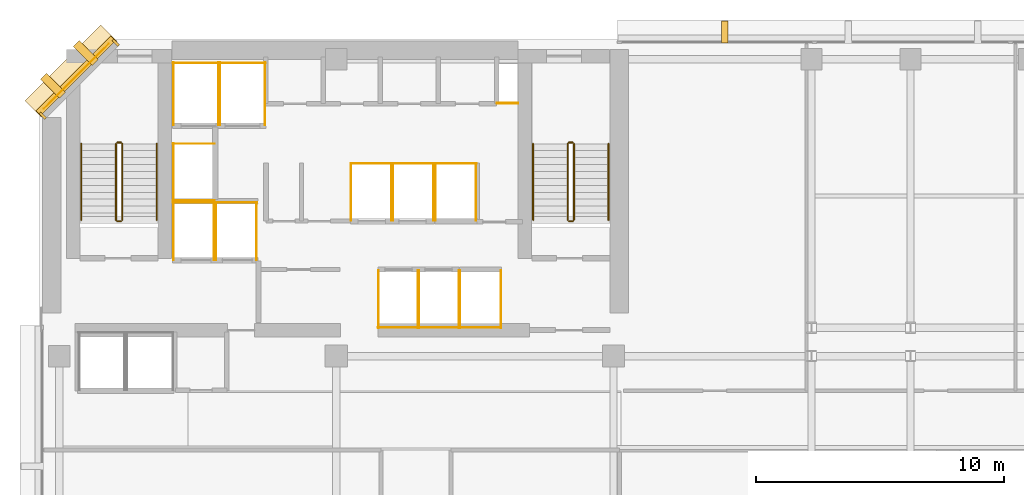
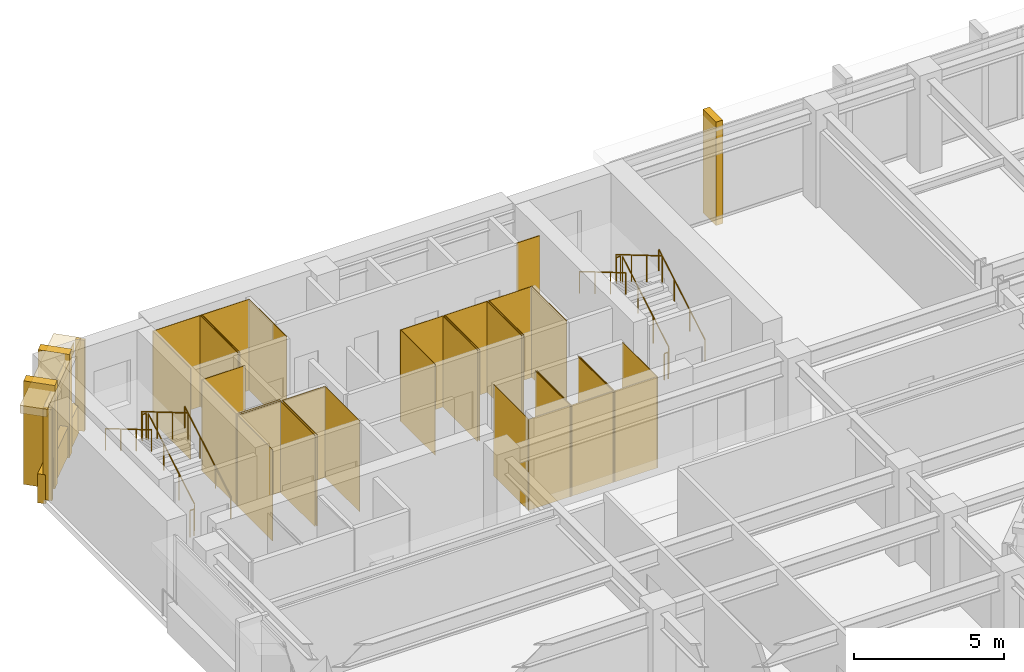
# One storey, part 10 of 11: 42 coverings, 12 railings.
"""IFC4 building model written with IfcOpenShell, lengths in metres."""

from ifc_helpers import new_model, si_unit, direction, frame, origin, origin_2d, place, context, subcontext, project, spatial, polyline, rectangle, circle, outline, extrude, material, layer, layer_set, type_object, element, save


model = new_model("IFC4")

# Units and contexts
model_context = context("Model", 3, precision=1e-05, world=origin(), true_north=direction((0.0, 1.0)))
body_context = subcontext(model_context, "Body", "Model", "MODEL_VIEW")
ifc_project = project(units=[si_unit("LENGTHUNIT", "METRE"), si_unit("AREAUNIT", "SQUARE_METRE"), si_unit("VOLUMEUNIT", "CUBIC_METRE"), si_unit("PLANEANGLEUNIT", "RADIAN"), si_unit("MASSUNIT", "GRAM", prefix="KILO")], contexts=[model_context])

# Site, building, storey
site_placement = place(None, origin())
site = spatial("IfcSite", under=ifc_project, at=site_placement, CompositionType="ELEMENT")
building_placement = place(site_placement, origin())
building = spatial("IfcBuilding", under=site, at=building_placement, Name="Kefirva Bronze Tower", CompositionType="ELEMENT")
storey_placement = place(building_placement, frame((0.0, 0.0, 166.64990234375)))
storey = spatial("IfcBuildingStorey", under=building, at=storey_placement, Name="L40", CompositionType="ELEMENT", Elevation=166.64990234375)

# Coverings
ifc_material_1 = material(Name="Bronze anodised aluminium", Category="aluminium")
ifc_layer_1 = layer(ifc_material_1, 0.02001953125, Name="Bronze anodised aluminium")
ifc_layer_set_1 = layer_set([ifc_layer_1], Name="Bronze anodised aluminium")
covering_type_1 = type_object("IfcCoveringType", Name="Anodised Bronze Spandrel Cladding 20mm", PredefinedType="CLADDING", material=ifc_layer_set_1)
covering_1_placement = place(storey_placement, frame((1.492919921875, 44.507080078125, 3.2900390625), z_axis=(0.0, 0.0, 1.0), x_axis=(-0.707106781187, -0.707106781187, 0.0)))
element("IfcCovering", 1, at=covering_1_placement, inside=storey, type_object=covering_type_1, Name="L40 Bronze Spandrel Cladding 5", PredefinedType="CLADDING", context=body_context, shape_type="SweptSolid", body=[
    extrude(rectangle(XDim=3.719482421875, YDim=0.02001953125, at=origin_2d()), origin(), (0.0, 0.0, 1.0), 0.39990234375),
])
for number, where, z_axis, x_axis, name in (
    (2, (3.08837890625, 45.862060546875, 0.0), (0.0, 0.0, 1.0), (-0.707106781187, -0.707106781187, 0.0), "L40 Facade Joint Closure Panel 5S"),
    (3, (0.137939453125, 42.91162109375, 0.0), (0.0, 0.0, 1.0), (-0.707106781187, -0.707106781187, 0.0), "L40 Facade Joint Closure Panel 5E"),
):
    element("IfcCovering", number, at=place(storey_placement, frame(where, z_axis=z_axis, x_axis=x_axis)), inside=storey, type_object=covering_type_1, Name=name, PredefinedType="CLADDING", context=body_context, shape_type="SweptSolid", body=[
        extrude(rectangle(XDim=0.10009765625, YDim=0.320068359375, at=origin_2d()), origin(), (0.0, 0.0, 1.0), 3.7099609375),
    ])
covering_2_placement = place(storey_placement, frame((1.4716796875, 44.5283203125, -0.15966796875), z_axis=(0.0, 0.0, 1.0), x_axis=(-0.707106781187, -0.707106781187, 0.0)))
element("IfcCovering", 4, at=covering_2_placement, inside=storey, type_object=covering_type_1, Name="L40 Streamline Horizontal Spandrel Band 9", PredefinedType="CLADDING", context=body_context, shape_type="SweptSolid", body=[
    extrude(rectangle(XDim=4.28271484375, YDim=0.280029296875, at=origin_2d()), origin(), (0.0, 0.0, 1.0), 1.179931640625),
])
covering_3_placement = place(storey_placement, origin())
element("IfcCovering", 5, at=covering_3_placement, inside=storey, type_object=covering_type_1, Name="L40 Lift FF1 Hoistway Liner N", PredefinedType="CLADDING", context=body_context, shape_type="SweptSolid", body=[
    extrude(outline(polyline([(5.39990234375, 39.389892578125), (7.080078125, 39.389892578125), (7.080078125, 39.409912109375), (5.39990234375, 39.409912109375), (5.39990234375, 39.389892578125)])), origin(), (0.0, 0.0, 1.0), 3.710205078125),
])
covering_4_placement = place(storey_placement, origin())
element("IfcCovering", 6, at=covering_4_placement, inside=storey, type_object=covering_type_1, Name="L40 Lift FF1 Hoistway Liner W", PredefinedType="CLADDING", context=body_context, shape_type="SweptSolid", body=[
    extrude(outline(polyline([(5.409912109375, 37.080078125), (5.429931640625, 37.080078125), (5.429931640625, 39.419921875), (5.409912109375, 39.419921875), (5.409912109375, 37.080078125)])), origin(), (0.0, 0.0, 1.0), 3.710205078125),
])
covering_5_placement = place(storey_placement, origin())
element("IfcCovering", 7, at=covering_5_placement, inside=storey, type_object=covering_type_1, Name="L40 Lift FF1 Hoistway Liner E", PredefinedType="CLADDING", context=body_context, shape_type="SweptSolid", body=[
    extrude(outline(polyline([(7.050048828125, 37.080078125), (7.070068359375, 37.080078125), (7.070068359375, 39.419921875), (7.050048828125, 39.419921875), (7.050048828125, 37.080078125)])), origin(), (0.0, 0.0, 1.0), 3.710205078125),
])
covering_6_placement = place(storey_placement, origin())
element("IfcCovering", 8, at=covering_6_placement, inside=storey, type_object=covering_type_1, Name="L40 Lift FF2 Hoistway Liner N", PredefinedType="CLADDING", context=body_context, shape_type="SweptSolid", body=[
    extrude(outline(polyline([(7.1201171875, 39.389892578125), (8.800048828125, 39.389892578125), (8.800048828125, 39.409912109375), (7.1201171875, 39.409912109375), (7.1201171875, 39.389892578125)])), origin(), (0.0, 0.0, 1.0), 3.710205078125),
])
covering_7_placement = place(storey_placement, origin())
element("IfcCovering", 9, at=covering_7_placement, inside=storey, type_object=covering_type_1, Name="L40 Lift FF2 Hoistway Liner W", PredefinedType="CLADDING", context=body_context, shape_type="SweptSolid", body=[
    extrude(outline(polyline([(7.1298828125, 37.080078125), (7.14990234375, 37.080078125), (7.14990234375, 39.419921875), (7.1298828125, 39.419921875), (7.1298828125, 37.080078125)])), origin(), (0.0, 0.0, 1.0), 3.710205078125),
])
covering_8_placement = place(storey_placement, origin())
element("IfcCovering", 10, at=covering_8_placement, inside=storey, type_object=covering_type_1, Name="L40 Lift FF2 Hoistway Liner E", PredefinedType="CLADDING", context=body_context, shape_type="SweptSolid", body=[
    extrude(outline(polyline([(8.77001953125, 37.080078125), (8.7900390625, 37.080078125), (8.7900390625, 39.419921875), (8.77001953125, 39.419921875), (8.77001953125, 37.080078125)])), origin(), (0.0, 0.0, 1.0), 3.710205078125),
])
covering_9_placement = place(storey_placement, origin())
element("IfcCovering", 11, at=covering_9_placement, inside=storey, type_object=covering_type_1, Name="L40 Lift SV1 Hoistway Liner N", PredefinedType="CLADDING", context=body_context, shape_type="SweptSolid", body=[
    extrude(outline(polyline([(5.39990234375, 45.0400390625), (7.260009765625, 45.0400390625), (7.260009765625, 45.06005859375), (5.39990234375, 45.06005859375), (5.39990234375, 45.0400390625)])), origin(), (0.0, 0.0, 1.0), 3.710205078125),
])
covering_10_placement = place(storey_placement, origin())
element("IfcCovering", 12, at=covering_10_placement, inside=storey, type_object=covering_type_1, Name="L40 Lift SV1 Hoistway Liner W", PredefinedType="CLADDING", context=body_context, shape_type="SweptSolid", body=[
    extrude(outline(polyline([(5.409912109375, 42.530029296875), (5.429931640625, 42.530029296875), (5.429931640625, 45.070068359375), (5.409912109375, 45.070068359375), (5.409912109375, 42.530029296875)])), origin(), (0.0, 0.0, 1.0), 3.710205078125),
])
covering_11_placement = place(storey_placement, origin())
element("IfcCovering", 13, at=covering_11_placement, inside=storey, type_object=covering_type_1, Name="L40 Lift SV1 Hoistway Liner E", PredefinedType="CLADDING", context=body_context, shape_type="SweptSolid", body=[
    extrude(outline(polyline([(7.22998046875, 42.530029296875), (7.25, 42.530029296875), (7.25, 45.070068359375), (7.22998046875, 45.070068359375), (7.22998046875, 42.530029296875)])), origin(), (0.0, 0.0, 1.0), 3.710205078125),
])
covering_12_placement = place(storey_placement, origin())
element("IfcCovering", 14, at=covering_12_placement, inside=storey, type_object=covering_type_1, Name="L40 Lift SV2 Hoistway Liner N", PredefinedType="CLADDING", context=body_context, shape_type="SweptSolid", body=[
    extrude(outline(polyline([(7.280029296875, 45.0400390625), (9.139892578125, 45.0400390625), (9.139892578125, 45.06005859375), (7.280029296875, 45.06005859375), (7.280029296875, 45.0400390625)])), origin(), (0.0, 0.0, 1.0), 3.710205078125),
])
covering_13_placement = place(storey_placement, origin())
element("IfcCovering", 15, at=covering_13_placement, inside=storey, type_object=covering_type_1, Name="L40 Lift SV2 Hoistway Liner W", PredefinedType="CLADDING", context=body_context, shape_type="SweptSolid", body=[
    extrude(outline(polyline([(7.2900390625, 42.530029296875), (7.31005859375, 42.530029296875), (7.31005859375, 45.070068359375), (7.2900390625, 45.070068359375), (7.2900390625, 42.530029296875)])), origin(), (0.0, 0.0, 1.0), 3.710205078125),
])
covering_14_placement = place(storey_placement, origin())
element("IfcCovering", 16, at=covering_14_placement, inside=storey, type_object=covering_type_1, Name="L40 Lift SV2 Hoistway Liner E", PredefinedType="CLADDING", context=body_context, shape_type="SweptSolid", body=[
    extrude(outline(polyline([(9.110107421875, 42.530029296875), (9.1298828125, 42.530029296875), (9.1298828125, 45.070068359375), (9.110107421875, 45.070068359375), (9.110107421875, 42.530029296875)])), origin(), (0.0, 0.0, 1.0), 3.710205078125),
])
covering_15_placement = place(storey_placement, origin())
element("IfcCovering", 17, at=covering_15_placement, inside=storey, type_object=covering_type_1, Name="L40 Lift MP1 Hoistway Liner S", PredefinedType="CLADDING", context=body_context, shape_type="SweptSolid", body=[
    extrude(outline(polyline([(13.679931640625, 34.340087890625), (15.320068359375, 34.340087890625), (15.320068359375, 34.360107421875), (13.679931640625, 34.360107421875), (13.679931640625, 34.340087890625)])), origin(), (0.0, 0.0, 1.0), 3.710205078125),
])
covering_16_placement = place(storey_placement, origin())
element("IfcCovering", 18, at=covering_16_placement, inside=storey, type_object=covering_type_1, Name="L40 Lift MP1 Hoistway Liner W", PredefinedType="CLADDING", context=body_context, shape_type="SweptSolid", body=[
    extrude(outline(polyline([(13.68994140625, 34.330078125), (13.7099609375, 34.330078125), (13.7099609375, 36.669921875), (13.68994140625, 36.669921875), (13.68994140625, 34.330078125)])), origin(), (0.0, 0.0, 1.0), 3.710205078125),
])
covering_17_placement = place(storey_placement, origin())
element("IfcCovering", 19, at=covering_17_placement, inside=storey, type_object=covering_type_1, Name="L40 Lift MP1 Hoistway Liner E", PredefinedType="CLADDING", context=body_context, shape_type="SweptSolid", body=[
    extrude(outline(polyline([(15.2900390625, 34.330078125), (15.31005859375, 34.330078125), (15.31005859375, 36.669921875), (15.2900390625, 36.669921875), (15.2900390625, 34.330078125)])), origin(), (0.0, 0.0, 1.0), 3.710205078125),
])
covering_18_placement = place(storey_placement, origin())
element("IfcCovering", 20, at=covering_18_placement, inside=storey, type_object=covering_type_1, Name="L40 Lift MP2 Hoistway Liner S", PredefinedType="CLADDING", context=body_context, shape_type="SweptSolid", body=[
    extrude(outline(polyline([(15.330078125, 34.340087890625), (16.969970703125, 34.340087890625), (16.969970703125, 34.360107421875), (15.330078125, 34.360107421875), (15.330078125, 34.340087890625)])), origin(), (0.0, 0.0, 1.0), 3.710205078125),
])
covering_19_placement = place(storey_placement, origin())
element("IfcCovering", 21, at=covering_19_placement, inside=storey, type_object=covering_type_1, Name="L40 Lift MP2 Hoistway Liner W", PredefinedType="CLADDING", context=body_context, shape_type="SweptSolid", body=[
    extrude(outline(polyline([(15.340087890625, 34.330078125), (15.360107421875, 34.330078125), (15.360107421875, 36.669921875), (15.340087890625, 36.669921875), (15.340087890625, 34.330078125)])), origin(), (0.0, 0.0, 1.0), 3.710205078125),
])
covering_20_placement = place(storey_placement, origin())
element("IfcCovering", 22, at=covering_20_placement, inside=storey, type_object=covering_type_1, Name="L40 Lift MP2 Hoistway Liner E", PredefinedType="CLADDING", context=body_context, shape_type="SweptSolid", body=[
    extrude(outline(polyline([(16.93994140625, 34.330078125), (16.9599609375, 34.330078125), (16.9599609375, 36.669921875), (16.93994140625, 36.669921875), (16.93994140625, 34.330078125)])), origin(), (0.0, 0.0, 1.0), 3.710205078125),
])
covering_21_placement = place(storey_placement, origin())
element("IfcCovering", 23, at=covering_21_placement, inside=storey, type_object=covering_type_1, Name="L40 Lift MP3 Hoistway Liner N", PredefinedType="CLADDING", context=body_context, shape_type="SweptSolid", body=[
    extrude(outline(polyline([(12.580078125, 40.969970703125), (14.25, 40.969970703125), (14.25, 40.989990234375), (12.580078125, 40.989990234375), (12.580078125, 40.969970703125)])), origin(), (0.0, 0.0, 1.0), 3.710205078125),
])
covering_22_placement = place(storey_placement, origin())
element("IfcCovering", 24, at=covering_22_placement, inside=storey, type_object=covering_type_1, Name="L40 Lift MP3 Hoistway Liner W", PredefinedType="CLADDING", context=body_context, shape_type="SweptSolid", body=[
    extrude(outline(polyline([(12.590087890625, 38.659912109375), (12.610107421875, 38.659912109375), (12.610107421875, 41.0), (12.590087890625, 41.0), (12.590087890625, 38.659912109375)])), origin(), (0.0, 0.0, 1.0), 3.710205078125),
])
covering_23_placement = place(storey_placement, origin())
element("IfcCovering", 25, at=covering_23_placement, inside=storey, type_object=covering_type_1, Name="L40 Lift MP3 Hoistway Liner E", PredefinedType="CLADDING", context=body_context, shape_type="SweptSolid", body=[
    extrude(outline(polyline([(14.219970703125, 38.659912109375), (14.239990234375, 38.659912109375), (14.239990234375, 41.0), (14.219970703125, 41.0), (14.219970703125, 38.659912109375)])), origin(), (0.0, 0.0, 1.0), 3.710205078125),
])
covering_24_placement = place(storey_placement, origin())
element("IfcCovering", 26, at=covering_24_placement, inside=storey, type_object=covering_type_1, Name="L40 Lift MP4 Hoistway Liner N", PredefinedType="CLADDING", context=body_context, shape_type="SweptSolid", body=[
    extrude(outline(polyline([(14.280029296875, 40.969970703125), (15.949951171875, 40.969970703125), (15.949951171875, 40.989990234375), (14.280029296875, 40.989990234375), (14.280029296875, 40.969970703125)])), origin(), (0.0, 0.0, 1.0), 3.710205078125),
])
covering_25_placement = place(storey_placement, origin())
element("IfcCovering", 27, at=covering_25_placement, inside=storey, type_object=covering_type_1, Name="L40 Lift MP4 Hoistway Liner W", PredefinedType="CLADDING", context=body_context, shape_type="SweptSolid", body=[
    extrude(outline(polyline([(14.2900390625, 38.659912109375), (14.31005859375, 38.659912109375), (14.31005859375, 41.0), (14.2900390625, 41.0), (14.2900390625, 38.659912109375)])), origin(), (0.0, 0.0, 1.0), 3.710205078125),
])
covering_26_placement = place(storey_placement, origin())
element("IfcCovering", 28, at=covering_26_placement, inside=storey, type_object=covering_type_1, Name="L40 Lift MP4 Hoistway Liner E", PredefinedType="CLADDING", context=body_context, shape_type="SweptSolid", body=[
    extrude(outline(polyline([(15.919921875, 38.659912109375), (15.93994140625, 38.659912109375), (15.93994140625, 41.0), (15.919921875, 41.0), (15.919921875, 38.659912109375)])), origin(), (0.0, 0.0, 1.0), 3.710205078125),
])
covering_27_placement = place(storey_placement, origin())
element("IfcCovering", 29, at=covering_27_placement, inside=storey, type_object=covering_type_1, Name="L40 Lift HP1 Hoistway Liner S", PredefinedType="CLADDING", context=body_context, shape_type="SweptSolid", body=[
    extrude(outline(polyline([(16.97998046875, 34.340087890625), (18.669921875, 34.340087890625), (18.669921875, 34.360107421875), (16.97998046875, 34.360107421875), (16.97998046875, 34.340087890625)])), origin(), (0.0, 0.0, 1.0), 3.710205078125),
])
covering_28_placement = place(storey_placement, origin())
element("IfcCovering", 30, at=covering_28_placement, inside=storey, type_object=covering_type_1, Name="L40 Lift HP1 Hoistway Liner W", PredefinedType="CLADDING", context=body_context, shape_type="SweptSolid", body=[
    extrude(outline(polyline([(16.989990234375, 34.330078125), (17.010009765625, 34.330078125), (17.010009765625, 36.669921875), (16.989990234375, 36.669921875), (16.989990234375, 34.330078125)])), origin(), (0.0, 0.0, 1.0), 3.710205078125),
])
covering_29_placement = place(storey_placement, origin())
element("IfcCovering", 31, at=covering_29_placement, inside=storey, type_object=covering_type_1, Name="L40 Lift HP1 Hoistway Liner E", PredefinedType="CLADDING", context=body_context, shape_type="SweptSolid", body=[
    extrude(outline(polyline([(18.639892578125, 34.330078125), (18.659912109375, 34.330078125), (18.659912109375, 36.669921875), (18.639892578125, 36.669921875), (18.639892578125, 34.330078125)])), origin(), (0.0, 0.0, 1.0), 3.710205078125),
])
covering_30_placement = place(storey_placement, origin())
element("IfcCovering", 32, at=covering_30_placement, inside=storey, type_object=covering_type_1, Name="L40 Lift HP2 Hoistway Liner N", PredefinedType="CLADDING", context=body_context, shape_type="SweptSolid", body=[
    extrude(outline(polyline([(15.97998046875, 40.969970703125), (17.669921875, 40.969970703125), (17.669921875, 40.989990234375), (15.97998046875, 40.989990234375), (15.97998046875, 40.969970703125)])), origin(), (0.0, 0.0, 1.0), 3.710205078125),
])
covering_31_placement = place(storey_placement, origin())
element("IfcCovering", 33, at=covering_31_placement, inside=storey, type_object=covering_type_1, Name="L40 Lift HP2 Hoistway Liner W", PredefinedType="CLADDING", context=body_context, shape_type="SweptSolid", body=[
    extrude(outline(polyline([(15.989990234375, 38.659912109375), (16.010009765625, 38.659912109375), (16.010009765625, 41.0), (15.989990234375, 41.0), (15.989990234375, 38.659912109375)])), origin(), (0.0, 0.0, 1.0), 3.710205078125),
])
covering_32_placement = place(storey_placement, origin())
element("IfcCovering", 34, at=covering_32_placement, inside=storey, type_object=covering_type_1, Name="L40 Lift HP2 Hoistway Liner E", PredefinedType="CLADDING", context=body_context, shape_type="SweptSolid", body=[
    extrude(outline(polyline([(17.639892578125, 38.659912109375), (17.659912109375, 38.659912109375), (17.659912109375, 41.0), (17.639892578125, 41.0), (17.639892578125, 38.659912109375)])), origin(), (0.0, 0.0, 1.0), 3.710205078125),
])
covering_33_placement = place(storey_placement, origin())
element("IfcCovering", 35, at=covering_33_placement, inside=storey, type_object=covering_type_1, Name="L40 Lift HP3 Hoistway Liner N", PredefinedType="CLADDING", context=body_context, shape_type="SweptSolid", body=[
    extrude(outline(polyline([(5.39990234375, 41.77001953125), (7.080078125, 41.77001953125), (7.080078125, 41.7900390625), (5.39990234375, 41.7900390625), (5.39990234375, 41.77001953125)])), origin(), (0.0, 0.0, 1.0), 3.710205078125),
])
covering_34_placement = place(storey_placement, origin())
element("IfcCovering", 36, at=covering_34_placement, inside=storey, type_object=covering_type_1, Name="L40 Lift HP3 Hoistway Liner S", PredefinedType="CLADDING", context=body_context, shape_type="SweptSolid", body=[
    extrude(outline(polyline([(5.39990234375, 39.469970703125), (7.080078125, 39.469970703125), (7.080078125, 39.489990234375), (5.39990234375, 39.489990234375), (5.39990234375, 39.469970703125)])), origin(), (0.0, 0.0, 1.0), 3.710205078125),
])
covering_35_placement = place(storey_placement, origin())
element("IfcCovering", 37, at=covering_35_placement, inside=storey, type_object=covering_type_1, Name="L40 Lift HP3 Hoistway Liner W", PredefinedType="CLADDING", context=body_context, shape_type="SweptSolid", body=[
    extrude(outline(polyline([(5.409912109375, 39.4599609375), (5.429931640625, 39.4599609375), (5.429931640625, 41.800048828125), (5.409912109375, 41.800048828125), (5.409912109375, 39.4599609375)])), origin(), (0.0, 0.0, 1.0), 3.710205078125),
])
covering_36_placement = place(storey_placement, origin())
element("IfcCovering", 38, at=covering_36_placement, inside=storey, type_object=covering_type_1, Name="L40 Core MEP Riser Shaft Liner South", PredefinedType="CLADDING", context=body_context, shape_type="SweptSolid", body=[
    extrude(outline(polyline([(18.47998046875, 43.39990234375), (19.360107421875, 43.39990234375), (19.360107421875, 43.429931640625), (18.47998046875, 43.429931640625), (18.47998046875, 43.39990234375)])), origin(), (0.0, 0.0, 1.0), 3.710205078125),
])

# Railings
ifc_material_2 = material(Name="Stainless steel 316", Category="steel")
railing_type_1 = type_object("IfcRailingType", Name="Interior Stair Guardrail 1100mm", PredefinedType="GUARDRAIL", material=ifc_material_2)
railing_1_placement = place(storey_placement, frame((3.35009765625, 38.699951171875, 0.1650390625)))
element("IfcRailing", 39, at=railing_1_placement, inside=storey, type_object=railing_type_1, Name="L40 ST-1 stair guard 1", PredefinedType="GUARDRAIL", context=body_context, shape_type="SweptSolid", body=[
    extrude(circle(Radius=0.02392578125, at=origin_2d()), frame((0.0, 0.0, 1.076171875), z_axis=(0.0, 0.861551262678, 0.507670583921), x_axis=(-1.0, 0.0, 0.0)), (0.0, 0.0, 1.0), 3.574951171875),
    extrude(circle(Radius=0.02099609375, at=origin_2d()), origin(), (0.0, 0.0, 1.0), 1.052001953125),
    extrude(circle(Radius=0.02099609375, at=origin_2d()), frame((0.0, 1.026611328125, 0.60498046875)), (0.0, 0.0, 1.0), 1.052001953125),
    extrude(circle(Radius=0.02099609375, at=origin_2d()), frame((0.0, 2.053466796875, 1.2099609375)), (0.0, 0.0, 1.0), 1.052001953125),
    extrude(circle(Radius=0.02099609375, at=origin_2d()), frame((0.0, 3.080078125, 1.81494140625)), (0.0, 0.0, 1.0), 1.052001953125),
])
railing_2_placement = place(storey_placement, frame((3.300048828125, 41.830078125, 1.97998046875)))
element("IfcRailing", 40, at=railing_2_placement, inside=storey, type_object=railing_type_1, Name="L40 ST-1 stair guard 2", PredefinedType="GUARDRAIL", context=body_context, shape_type="SweptSolid", body=[
    extrude(circle(Radius=0.02392578125, at=origin_2d()), frame((0.0, 0.0, 1.076171875), z_axis=(-1.0, 0.0, 0.0), x_axis=(0.0, -1.0, 0.0)), (0.0, 0.0, 1.0), 0.150146484375),
    extrude(circle(Radius=0.02099609375, at=origin_2d()), origin(), (0.0, 0.0, 1.0), 1.052001953125),
    extrude(circle(Radius=0.02099609375, at=origin_2d()), frame((-0.150146484375, 0.0, 0.0)), (0.0, 0.0, 1.0), 1.052001953125),
])
railing_3_placement = place(storey_placement, frame((3.10009765625, 41.780029296875, 2.14501953125)))
element("IfcRailing", 41, at=railing_3_placement, inside=storey, type_object=railing_type_1, Name="L40 ST-1 stair guard 3", PredefinedType="GUARDRAIL", context=body_context, shape_type="SweptSolid", body=[
    extrude(circle(Radius=0.02392578125, at=origin_2d()), frame((0.0, 0.0, 1.076171875), z_axis=(0.0, -0.861521393093, 0.507721271215), x_axis=(1.0, 0.0, 0.0)), (0.0, 0.0, 1.0), 3.5751953125),
    extrude(circle(Radius=0.02099609375, at=origin_2d()), origin(), (0.0, 0.0, 1.0), 1.052001953125),
    extrude(circle(Radius=0.02099609375, at=origin_2d()), frame((0.0, -1.026611328125, 0.60498046875)), (0.0, 0.0, 1.0), 1.052001953125),
    extrude(circle(Radius=0.02099609375, at=origin_2d()), frame((0.0, -2.053466796875, 1.210205078125)), (0.0, 0.0, 1.0), 1.052001953125),
    extrude(circle(Radius=0.02099609375, at=origin_2d()), frame((0.0, -3.080078125, 1.815185546875)), (0.0, 0.0, 1.0), 1.052001953125),
])
railing_4_placement = place(storey_placement, frame((3.300048828125, 38.64990234375, 0.0)))
element("IfcRailing", 42, at=railing_4_placement, inside=storey, type_object=railing_type_1, Name="L40 ST-1 stair guard 4", PredefinedType="GUARDRAIL", context=body_context, shape_type="SweptSolid", body=[
    extrude(circle(Radius=0.02392578125, at=origin_2d()), frame((0.0, 0.0, 1.076171875), z_axis=(-1.0, 0.0, 0.0), x_axis=(0.0, -1.0, 0.0)), (0.0, 0.0, 1.0), 0.150146484375),
    extrude(circle(Radius=0.02099609375, at=origin_2d()), origin(), (0.0, 0.0, 1.0), 1.052001953125),
    extrude(circle(Radius=0.02099609375, at=origin_2d()), frame((-0.150146484375, 0.0, 0.0)), (0.0, 0.0, 1.0), 1.052001953125),
])
railing_5_placement = place(storey_placement, frame((21.60009765625, 38.699951171875, 0.1650390625)))
element("IfcRailing", 43, at=railing_5_placement, inside=storey, type_object=railing_type_1, Name="L40 ST-2 stair guard 1", PredefinedType="GUARDRAIL", context=body_context, shape_type="SweptSolid", body=[
    extrude(circle(Radius=0.02392578125, at=origin_2d()), frame((0.0, 0.0, 1.076171875), z_axis=(0.0, 0.861551262678, 0.507670583921), x_axis=(-1.0, 0.0, 0.0)), (0.0, 0.0, 1.0), 3.574951171875),
    extrude(circle(Radius=0.02099609375, at=origin_2d()), origin(), (0.0, 0.0, 1.0), 1.052001953125),
    extrude(circle(Radius=0.02099609375, at=origin_2d()), frame((0.0, 1.026611328125, 0.60498046875)), (0.0, 0.0, 1.0), 1.052001953125),
    extrude(circle(Radius=0.02099609375, at=origin_2d()), frame((0.0, 2.053466796875, 1.2099609375)), (0.0, 0.0, 1.0), 1.052001953125),
    extrude(circle(Radius=0.02099609375, at=origin_2d()), frame((0.0, 3.080078125, 1.81494140625)), (0.0, 0.0, 1.0), 1.052001953125),
])
railing_6_placement = place(storey_placement, frame((21.550048828125, 41.830078125, 1.97998046875)))
element("IfcRailing", 44, at=railing_6_placement, inside=storey, type_object=railing_type_1, Name="L40 ST-2 stair guard 2", PredefinedType="GUARDRAIL", context=body_context, shape_type="SweptSolid", body=[
    extrude(circle(Radius=0.02392578125, at=origin_2d()), frame((0.0, 0.0, 1.076171875), z_axis=(-1.0, 0.0, 0.0), x_axis=(0.0, -1.0, 0.0)), (0.0, 0.0, 1.0), 0.150146484375),
    extrude(circle(Radius=0.02099609375, at=origin_2d()), origin(), (0.0, 0.0, 1.0), 1.052001953125),
    extrude(circle(Radius=0.02099609375, at=origin_2d()), frame((-0.150146484375, 0.0, 0.0)), (0.0, 0.0, 1.0), 1.052001953125),
])
railing_7_placement = place(storey_placement, frame((21.35009765625, 41.780029296875, 2.14501953125)))
element("IfcRailing", 45, at=railing_7_placement, inside=storey, type_object=railing_type_1, Name="L40 ST-2 stair guard 3", PredefinedType="GUARDRAIL", context=body_context, shape_type="SweptSolid", body=[
    extrude(circle(Radius=0.02392578125, at=origin_2d()), frame((0.0, 0.0, 1.076171875), z_axis=(0.0, -0.861521393093, 0.507721271215), x_axis=(1.0, 0.0, 0.0)), (0.0, 0.0, 1.0), 3.5751953125),
    extrude(circle(Radius=0.02099609375, at=origin_2d()), origin(), (0.0, 0.0, 1.0), 1.052001953125),
    extrude(circle(Radius=0.02099609375, at=origin_2d()), frame((0.0, -1.026611328125, 0.60498046875)), (0.0, 0.0, 1.0), 1.052001953125),
    extrude(circle(Radius=0.02099609375, at=origin_2d()), frame((0.0, -2.053466796875, 1.210205078125)), (0.0, 0.0, 1.0), 1.052001953125),
    extrude(circle(Radius=0.02099609375, at=origin_2d()), frame((0.0, -3.080078125, 1.815185546875)), (0.0, 0.0, 1.0), 1.052001953125),
])
railing_8_placement = place(storey_placement, frame((21.550048828125, 38.64990234375, 0.0)))
element("IfcRailing", 46, at=railing_8_placement, inside=storey, type_object=railing_type_1, Name="L40 ST-2 stair guard 4", PredefinedType="GUARDRAIL", context=body_context, shape_type="SweptSolid", body=[
    extrude(circle(Radius=0.02392578125, at=origin_2d()), frame((0.0, 0.0, 1.076171875), z_axis=(-1.0, 0.0, 0.0), x_axis=(0.0, -1.0, 0.0)), (0.0, 0.0, 1.0), 0.150146484375),
    extrude(circle(Radius=0.02099609375, at=origin_2d()), origin(), (0.0, 0.0, 1.0), 1.052001953125),
    extrude(circle(Radius=0.02099609375, at=origin_2d()), frame((-0.150146484375, 0.0, 0.0)), (0.0, 0.0, 1.0), 1.052001953125),
])
railing_type_2 = type_object("IfcRailingType", Name="Stair Pitch Handrail 900mm", PredefinedType="HANDRAIL", material=ifc_material_2)
railing_9_placement = place(storey_placement, frame((4.75, 38.699951171875, 0.1650390625)))
element("IfcRailing", 47, at=railing_9_placement, inside=storey, type_object=railing_type_2, Name="L40 ST-1 stair handrail 1", PredefinedType="HANDRAIL", context=body_context, shape_type="SweptSolid", body=[
    extrude(circle(Radius=0.02392578125, at=origin_2d()), frame((0.0, 0.0, 0.8759765625), z_axis=(0.0, 0.861551262678, 0.507670583921), x_axis=(-1.0, 0.0, 0.0)), (0.0, 0.0, 1.0), 3.574951171875),
    extrude(circle(Radius=0.02099609375, at=origin_2d()), origin(), (0.0, 0.0, 1.0), 0.851806640625),
    extrude(circle(Radius=0.02099609375, at=origin_2d()), frame((0.0, 1.026611328125, 0.60498046875)), (0.0, 0.0, 1.0), 0.851806640625),
    extrude(circle(Radius=0.02099609375, at=origin_2d()), frame((0.0, 2.053466796875, 1.2099609375)), (0.0, 0.0, 1.0), 0.851806640625),
    extrude(circle(Radius=0.02099609375, at=origin_2d()), frame((0.0, 3.080078125, 1.81494140625)), (0.0, 0.0, 1.0), 0.851806640625),
])
railing_10_placement = place(storey_placement, frame((1.699951171875, 41.780029296875, 2.14501953125)))
element("IfcRailing", 48, at=railing_10_placement, inside=storey, type_object=railing_type_2, Name="L40 ST-1 stair handrail 2", PredefinedType="HANDRAIL", context=body_context, shape_type="SweptSolid", body=[
    extrude(circle(Radius=0.02392578125, at=origin_2d()), frame((0.0, 0.0, 0.8759765625), z_axis=(0.0, -0.861521393093, 0.507721271215), x_axis=(1.0, 0.0, 0.0)), (0.0, 0.0, 1.0), 3.5751953125),
    extrude(circle(Radius=0.02099609375, at=origin_2d()), origin(), (0.0, 0.0, 1.0), 0.851806640625),
    extrude(circle(Radius=0.02099609375, at=origin_2d()), frame((0.0, -1.026611328125, 0.60498046875)), (0.0, 0.0, 1.0), 0.851806640625),
    extrude(circle(Radius=0.02099609375, at=origin_2d()), frame((0.0, -2.053466796875, 1.210205078125)), (0.0, 0.0, 1.0), 0.851806640625),
    extrude(circle(Radius=0.02099609375, at=origin_2d()), frame((0.0, -3.080078125, 1.815185546875)), (0.0, 0.0, 1.0), 0.851806640625),
])
railing_11_placement = place(storey_placement, frame((23.0, 38.699951171875, 0.1650390625)))
element("IfcRailing", 49, at=railing_11_placement, inside=storey, type_object=railing_type_2, Name="L40 ST-2 stair handrail 1", PredefinedType="HANDRAIL", context=body_context, shape_type="SweptSolid", body=[
    extrude(circle(Radius=0.02392578125, at=origin_2d()), frame((0.0, 0.0, 0.8759765625), z_axis=(0.0, 0.861551262678, 0.507670583921), x_axis=(-1.0, 0.0, 0.0)), (0.0, 0.0, 1.0), 3.574951171875),
    extrude(circle(Radius=0.02099609375, at=origin_2d()), origin(), (0.0, 0.0, 1.0), 0.851806640625),
    extrude(circle(Radius=0.02099609375, at=origin_2d()), frame((0.0, 1.026611328125, 0.60498046875)), (0.0, 0.0, 1.0), 0.851806640625),
    extrude(circle(Radius=0.02099609375, at=origin_2d()), frame((0.0, 2.053466796875, 1.2099609375)), (0.0, 0.0, 1.0), 0.851806640625),
    extrude(circle(Radius=0.02099609375, at=origin_2d()), frame((0.0, 3.080078125, 1.81494140625)), (0.0, 0.0, 1.0), 0.851806640625),
])
railing_12_placement = place(storey_placement, frame((19.949951171875, 41.780029296875, 2.14501953125)))
element("IfcRailing", 50, at=railing_12_placement, inside=storey, type_object=railing_type_2, Name="L40 ST-2 stair handrail 2", PredefinedType="HANDRAIL", context=body_context, shape_type="SweptSolid", body=[
    extrude(circle(Radius=0.02392578125, at=origin_2d()), frame((0.0, 0.0, 0.8759765625), z_axis=(0.0, -0.861521393093, 0.507721271215), x_axis=(1.0, 0.0, 0.0)), (0.0, 0.0, 1.0), 3.5751953125),
    extrude(circle(Radius=0.02099609375, at=origin_2d()), origin(), (0.0, 0.0, 1.0), 0.851806640625),
    extrude(circle(Radius=0.02099609375, at=origin_2d()), frame((0.0, -1.026611328125, 0.60498046875)), (0.0, 0.0, 1.0), 0.851806640625),
    extrude(circle(Radius=0.02099609375, at=origin_2d()), frame((0.0, -2.053466796875, 1.210205078125)), (0.0, 0.0, 1.0), 0.851806640625),
    extrude(circle(Radius=0.02099609375, at=origin_2d()), frame((0.0, -3.080078125, 1.815185546875)), (0.0, 0.0, 1.0), 0.851806640625),
])

# Coverings
ifc_layer_2 = layer(ifc_material_1, 0.179931640625, Name="Bronze anodised aluminium")
ifc_layer_set_2 = layer_set([ifc_layer_2], Name="Bronze anodised aluminium")
covering_type_2 = type_object("IfcCoveringType", Name="Streamline Bronze Sunshade Eyebrow Cladding 180mm", PredefinedType="CLADDING", material=ifc_layer_set_2)
covering_37_placement = place(storey_placement, frame((1.28076171875, 44.71923828125, 3.39013671875), z_axis=(0.0, 0.0, 1.0), x_axis=(-0.707106781187, -0.707106781187, 0.0)))
element("IfcCovering", 51, at=covering_37_placement, inside=storey, type_object=covering_type_2, Name="L40 Streamline Bronze Sunshade Eyebrow 9", PredefinedType="CLADDING", context=body_context, shape_type="SweptSolid", body=[
    extrude(rectangle(XDim=4.322509765625, YDim=0.93994140625, at=origin_2d()), origin(), (0.0, 0.0, 1.0), 0.320068359375),
])
ifc_layer_3 = layer(ifc_material_1, 0.260009765625, Name="Bronze anodised aluminium")
ifc_layer_set_3 = layer_set([ifc_layer_3], Name="Bronze anodised aluminium")
covering_type_3 = type_object("IfcCoveringType", Name="Unbroken Bronze Buttress Fin Cladding 260mm", PredefinedType="CLADDING", material=ifc_layer_set_3)
covering_38_placement = place(storey_placement, frame((27.68798828125, 46.300048828125, -0.25), z_axis=(0.0, 0.0, 1.0), x_axis=(-1.0, 0.0, 0.0)))
element("IfcCovering", 52, at=covering_38_placement, inside=storey, type_object=covering_type_3, Name="L40 Unbroken Vertical Bronze Rib Fin 20", PredefinedType="CLADDING", context=body_context, shape_type="SweptSolid", body=[
    extrude(rectangle(XDim=0.260009765625, YDim=0.8798828125, at=origin_2d()), origin(), (0.0, 0.0, 1.0), 4.2099609375),
])
for number, where, z_axis, x_axis, name in (
    (53, (1.877197265625, 45.44287109375, -0.25), (0.0, 0.0, 1.0), (-0.707106781187, -0.707106781187, 0.0), "L40 Chamfered Corner Buttress Fin Cladding 21"),
    (54, (0.55712890625, 44.122802734375, -0.25), (0.0, 0.0, 1.0), (-0.707106781187, -0.707106781187, 0.0), "L40 Chamfered Corner Buttress Fin Cladding 22"),
):
    element("IfcCovering", number, at=place(storey_placement, frame(where, z_axis=z_axis, x_axis=x_axis)), inside=storey, type_object=covering_type_3, Name=name, PredefinedType="CLADDING", context=body_context, shape_type="SweptSolid", body=[
        extrude(rectangle(XDim=0.340087890625, YDim=1.080078125, at=origin_2d()), origin(), (0.0, 0.0, 1.0), 4.2099609375),
    ])

save(model, "model.ifc")
